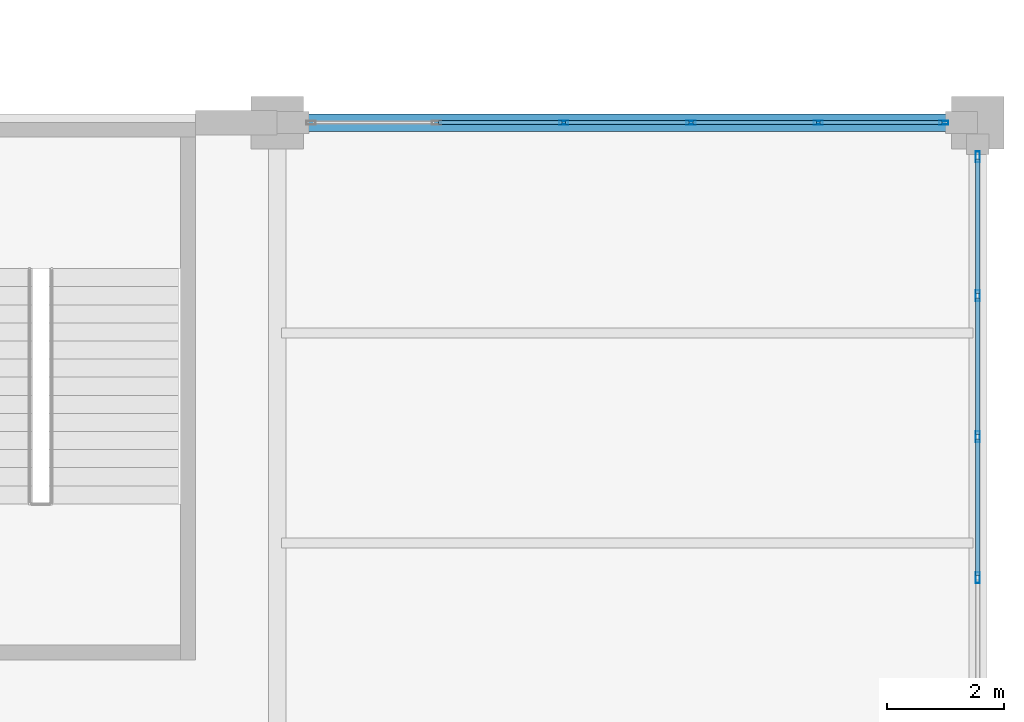
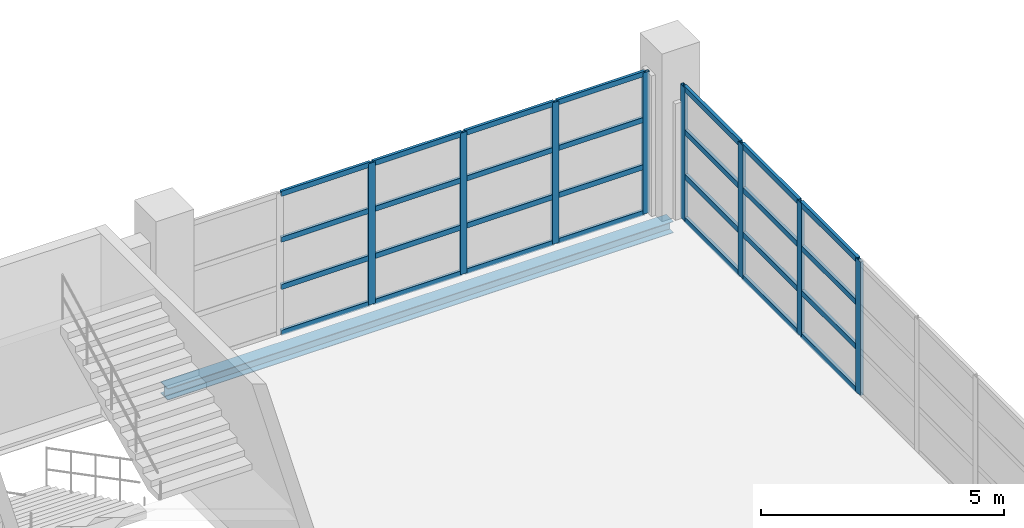
# One storey, part 124 of 158: 36 members, 1 beam, 2 elements without a shape of their own.
"""IFC4 building model written with IfcOpenShell, lengths in metres."""

from ifc_helpers import new_model, si_unit, direction, frame, origin, origin_2d, place, context, subcontext, project, spatial, hollow_rectangle, i_section, extrude, material, layer, layer_set, material_profile, profile_set, type_object, element, aggregate, save


model = new_model("IFC4")

# Units and contexts
model_context = context("Model", 3, precision=1e-05, world=origin(), true_north=direction((0.0, 1.0)))
body_context = subcontext(model_context, "Body", "Model", "MODEL_VIEW")
ifc_project = project(units=[si_unit("LENGTHUNIT", "METRE"), si_unit("AREAUNIT", "SQUARE_METRE"), si_unit("VOLUMEUNIT", "CUBIC_METRE"), si_unit("PLANEANGLEUNIT", "RADIAN"), si_unit("MASSUNIT", "GRAM", prefix="KILO")], contexts=[model_context])

# Site, building, storey
site_placement = place(None, origin())
site = spatial("IfcSite", under=ifc_project, at=site_placement, CompositionType="ELEMENT")
building_placement = place(site_placement, origin())
building = spatial("IfcBuilding", under=site, at=building_placement, Name="Zilviju Railside Exhibition Hall", CompositionType="ELEMENT")
storey_placement = place(building_placement, frame((0.0, 0.0, 4.199951171875)))
storey = spatial("IfcBuildingStorey", under=building, at=storey_placement, Name="L02", CompositionType="ELEMENT", Elevation=4.199951171875)

# Beam
ifc_material_1 = material(Name="Steel S355J2", Category="steel")
ifc_material_profile_1 = material_profile(ifc_material_1, i_section(OverallWidth=0.300048828125, OverallDepth=0.2900390625, WebThickness=0.008544921875, FlangeThickness=0.013916015625, at=origin_2d()), Name="HEA 300")
ifc_profile_set_1 = profile_set([ifc_material_profile_1], Name="Steel S355J2")
beam_type = type_object("IfcBeamType", Name="BM-HEA300", PredefinedType="SPANDREL", material=ifc_profile_set_1)
beam_placement = place(storey_placement, frame((204.0, 138.0, -0.474853515625), z_axis=(1.0, 0.0, 0.0), x_axis=(0.0, 1.0, 0.0)))
element("IfcBeam", 1, at=beam_placement, inside=storey, type_object=beam_type, Name="Primary Girder L02 Y=138.0 (204.0..216.0)", PredefinedType="SPANDREL", context=body_context, shape_type="SweptSolid", body=[
    extrude(i_section(OverallWidth=0.300048828125, OverallDepth=0.2900390625, WebThickness=0.008544921875, FlangeThickness=0.013916015625, at=origin_2d()), origin(), (0.0, 0.0, 1.0), 12.0),
])

# Curtain wall, members
ifc_material_2 = material(Name="Thermally broken aluminium-steel triple-glazed curtain wall", Category="steel")
ifc_layer_1 = layer(ifc_material_2, 0.179931640625)
ifc_layer_set_1 = layer_set([ifc_layer_1], Name="Thermally broken aluminium-steel triple-glazed curtain wall")
curtain_wall_type_1 = type_object("IfcCurtainWallType", Name="CW-BAY-14", PredefinedType="USERDEFINED", material=ifc_layer_set_1)
curtain_wall_1_placement = place(storey_placement, origin())
curtain_wall_1 = element("IfcCurtainWall", 2, at=curtain_wall_1_placement, inside=storey, type_object=curtain_wall_type_1, Name="North Hall Clerestory Curtain Wall L02 (204..216)", ObjectType="GLAZED CURTAIN WALL", PredefinedType="USERDEFINED")
ifc_material_3 = material(Name="Thermally broken anodized aluminium mullion", Category="aluminium")
ifc_material_profile_2 = material_profile(ifc_material_3, hollow_rectangle(XDim=0.06494140625, YDim=0.159912109375, WallThickness=0.0048828125, at=origin_2d()), Name="MULLION 160x65x5")
ifc_profile_set_2 = profile_set([ifc_material_profile_2], Name="Thermally broken anodized aluminium mullion")
member_type_1 = type_object("IfcMemberType", Name="CWM-65x160", PredefinedType="MULLION", material=ifc_profile_set_2)
member_1_placement = place(storey_placement, frame((208.909912109375, 138.0, 0.0), z_axis=(0.0, 0.0, 1.0), x_axis=(0.0, 1.0, 0.0)))
member_1 = element("IfcMember", 3, at=member_1_placement, type_object=member_type_1, Name="CW-14 mullion 3", PredefinedType="MULLION", context=body_context, shape_type="SweptSolid", body=[
    extrude(hollow_rectangle(XDim=0.06494140625, YDim=0.159912109375, WallThickness=0.0048828125, at=origin_2d()), origin(), (0.0, 0.0, 1.0), 3.550048828125),
])
member_2_placement = place(storey_placement, frame((211.090087890625, 138.0, 0.0), z_axis=(0.0, 0.0, 1.0), x_axis=(0.0, 1.0, 0.0)))
member_2 = element("IfcMember", 4, at=member_2_placement, type_object=member_type_1, Name="CW-14 mullion 4", PredefinedType="MULLION", context=body_context, shape_type="SweptSolid", body=[
    extrude(hollow_rectangle(XDim=0.06494140625, YDim=0.159912109375, WallThickness=0.0048828125, at=origin_2d()), origin(), (0.0, 0.0, 1.0), 3.550048828125),
])
member_3_placement = place(storey_placement, frame((213.27001953125, 138.0, 0.0), z_axis=(0.0, 0.0, 1.0), x_axis=(0.0, 1.0, 0.0)))
member_3 = element("IfcMember", 5, at=member_3_placement, type_object=member_type_1, Name="CW-14 mullion 5", PredefinedType="MULLION", context=body_context, shape_type="SweptSolid", body=[
    extrude(hollow_rectangle(XDim=0.06494140625, YDim=0.159912109375, WallThickness=0.0048828125, at=origin_2d()), origin(), (0.0, 0.0, 1.0), 3.550048828125),
])
member_4_placement = place(storey_placement, frame((215.41748046875, 138.0, 0.0), z_axis=(0.0, 0.0, 1.0), x_axis=(0.0, 1.0, 0.0)))
member_4 = element("IfcMember", 6, at=member_4_placement, type_object=member_type_1, Name="CW-14 mullion 6", PredefinedType="MULLION", context=body_context, shape_type="SweptSolid", body=[
    extrude(hollow_rectangle(XDim=0.06494140625, YDim=0.159912109375, WallThickness=0.0048828125, at=origin_2d()), origin(), (0.0, 0.0, 1.0), 3.550048828125),
])

ifc_layer_2 = layer(ifc_material_2, 0.179931640625)
ifc_layer_set_2 = layer_set([ifc_layer_2], Name="Thermally broken aluminium-steel triple-glazed curtain wall")
curtain_wall_type_2 = type_object("IfcCurtainWallType", Name="CW-BAY-17", PredefinedType="USERDEFINED", material=ifc_layer_set_2)
curtain_wall_2_placement = place(storey_placement, origin())
curtain_wall_2 = element("IfcCurtainWall", 7, at=curtain_wall_2_placement, inside=storey, type_object=curtain_wall_type_2, Name="North Hall East Glazed Gable L02 (120..138)", ObjectType="GLAZED CURTAIN WALL", PredefinedType="USERDEFINED")
ifc_material_profile_3 = material_profile(ifc_material_3, hollow_rectangle(XDim=0.074951171875, YDim=0.18994140625, WallThickness=0.0048828125, at=origin_2d()), Name="MULLION 190x75x5")
ifc_profile_set_3 = profile_set([ifc_material_profile_3], Name="Thermally broken anodized aluminium mullion")
member_type_2 = type_object("IfcMemberType", Name="CWM-75x190", PredefinedType="MULLION", material=ifc_profile_set_3)
member_5_placement = place(storey_placement, frame((216.0, 137.41259765625, 0.0), z_axis=(0.0, 0.0, 1.0), x_axis=(1.0, 0.0, 0.0)))
member_5 = element("IfcMember", 8, at=member_5_placement, type_object=member_type_2, Name="CW-17 mullion 1", PredefinedType="MULLION", context=body_context, shape_type="SweptSolid", body=[
    extrude(hollow_rectangle(XDim=0.074951171875, YDim=0.18994140625, WallThickness=0.0048828125, at=origin_2d()), origin(), (0.0, 0.0, 1.0), 3.35009765625),
])
member_6_placement = place(storey_placement, frame((216.0, 135.03564453125, 0.0), z_axis=(0.0, 0.0, 1.0), x_axis=(1.0, 0.0, 0.0)))
member_6 = element("IfcMember", 9, at=member_6_placement, type_object=member_type_2, Name="CW-17 mullion 2", PredefinedType="MULLION", context=body_context, shape_type="SweptSolid", body=[
    extrude(hollow_rectangle(XDim=0.074951171875, YDim=0.18994140625, WallThickness=0.0048828125, at=origin_2d()), origin(), (0.0, 0.0, 1.0), 3.35009765625),
])
member_7_placement = place(storey_placement, frame((216.0, 132.621337890625, 0.0), z_axis=(0.0, 0.0, 1.0), x_axis=(1.0, 0.0, 0.0)))
member_7 = element("IfcMember", 10, at=member_7_placement, type_object=member_type_2, Name="CW-17 mullion 3", PredefinedType="MULLION", context=body_context, shape_type="SweptSolid", body=[
    extrude(hollow_rectangle(XDim=0.074951171875, YDim=0.18994140625, WallThickness=0.0048828125, at=origin_2d()), origin(), (0.0, 0.0, 1.0), 3.35009765625),
])
member_8_placement = place(storey_placement, frame((216.0, 130.20703125, 0.0), z_axis=(0.0, 0.0, 1.0), x_axis=(1.0, 0.0, 0.0)))
member_8 = element("IfcMember", 11, at=member_8_placement, type_object=member_type_2, Name="CW-17 mullion 4", PredefinedType="MULLION", context=body_context, shape_type="SweptSolid", body=[
    extrude(hollow_rectangle(XDim=0.074951171875, YDim=0.18994140625, WallThickness=0.0048828125, at=origin_2d()), origin(), (0.0, 0.0, 1.0), 3.35009765625),
])

# Member
ifc_material_4 = material(Name="Thermally broken anodized aluminium transom", Category="aluminium")
ifc_material_profile_4 = material_profile(ifc_material_4, hollow_rectangle(XDim=0.06494140625, YDim=0.1298828125, WallThickness=0.0048828125, at=origin_2d()), Name="TRANSOM 130x65x5")
ifc_profile_set_4 = profile_set([ifc_material_profile_4], Name="Thermally broken anodized aluminium transom")
member_type_3 = type_object("IfcMemberType", Name="CWT-65x130", PredefinedType="USERDEFINED", material=ifc_profile_set_4)
member_9_placement = place(storey_placement, frame((206.762451171875, 138.0, 0.032470703125), z_axis=(1.0, 0.0, 0.0), x_axis=(0.0, 1.0, 0.0)))
member_9 = element("IfcMember", 12, at=member_9_placement, type_object=member_type_3, Name="CW-14 transom 2.1", ObjectType="TRANSOM", PredefinedType="USERDEFINED", context=body_context, shape_type="SweptSolid", body=[
    extrude(hollow_rectangle(XDim=0.06494140625, YDim=0.1298828125, WallThickness=0.0048828125, at=origin_2d()), origin(), (0.0, 0.0, 1.0), 2.114990234375),
])

member_10_placement = place(storey_placement, frame((206.762451171875, 138.0, 1.18310546875), z_axis=(1.0, 0.0, 0.0), x_axis=(0.0, 1.0, 0.0)))
member_10 = element("IfcMember", 13, at=member_10_placement, type_object=member_type_3, Name="CW-14 transom 2.2", ObjectType="TRANSOM", PredefinedType="USERDEFINED", context=body_context, shape_type="SweptSolid", body=[
    extrude(hollow_rectangle(XDim=0.06494140625, YDim=0.1298828125, WallThickness=0.0048828125, at=origin_2d()), origin(), (0.0, 0.0, 1.0), 2.114990234375),
])

member_11_placement = place(storey_placement, frame((206.762451171875, 138.0, 2.366943359375), z_axis=(1.0, 0.0, 0.0), x_axis=(0.0, 1.0, 0.0)))
member_11 = element("IfcMember", 14, at=member_11_placement, type_object=member_type_3, Name="CW-14 transom 2.3", ObjectType="TRANSOM", PredefinedType="USERDEFINED", context=body_context, shape_type="SweptSolid", body=[
    extrude(hollow_rectangle(XDim=0.06494140625, YDim=0.1298828125, WallThickness=0.0048828125, at=origin_2d()), origin(), (0.0, 0.0, 1.0), 2.114990234375),
])

member_12_placement = place(storey_placement, frame((206.762451171875, 138.0, 3.517578125), z_axis=(1.0, 0.0, 0.0), x_axis=(0.0, 1.0, 0.0)))
member_12 = element("IfcMember", 15, at=member_12_placement, type_object=member_type_3, Name="CW-14 transom 2.4", ObjectType="TRANSOM", PredefinedType="USERDEFINED", context=body_context, shape_type="SweptSolid", body=[
    extrude(hollow_rectangle(XDim=0.06494140625, YDim=0.1298828125, WallThickness=0.0048828125, at=origin_2d()), origin(), (0.0, 0.0, 1.0), 2.114990234375),
])

member_13_placement = place(storey_placement, frame((208.9423828125, 138.0, 0.032470703125), z_axis=(1.0, 0.0, 0.0), x_axis=(0.0, 1.0, 0.0)))
member_13 = element("IfcMember", 16, at=member_13_placement, type_object=member_type_3, Name="CW-14 transom 3.1", ObjectType="TRANSOM", PredefinedType="USERDEFINED", context=body_context, shape_type="SweptSolid", body=[
    extrude(hollow_rectangle(XDim=0.06494140625, YDim=0.1298828125, WallThickness=0.0048828125, at=origin_2d()), origin(), (0.0, 0.0, 1.0), 2.115234375),
])

member_14_placement = place(storey_placement, frame((208.9423828125, 138.0, 1.18310546875), z_axis=(1.0, 0.0, 0.0), x_axis=(0.0, 1.0, 0.0)))
member_14 = element("IfcMember", 17, at=member_14_placement, type_object=member_type_3, Name="CW-14 transom 3.2", ObjectType="TRANSOM", PredefinedType="USERDEFINED", context=body_context, shape_type="SweptSolid", body=[
    extrude(hollow_rectangle(XDim=0.06494140625, YDim=0.1298828125, WallThickness=0.0048828125, at=origin_2d()), origin(), (0.0, 0.0, 1.0), 2.115234375),
])

member_15_placement = place(storey_placement, frame((208.9423828125, 138.0, 2.366943359375), z_axis=(1.0, 0.0, 0.0), x_axis=(0.0, 1.0, 0.0)))
member_15 = element("IfcMember", 18, at=member_15_placement, type_object=member_type_3, Name="CW-14 transom 3.3", ObjectType="TRANSOM", PredefinedType="USERDEFINED", context=body_context, shape_type="SweptSolid", body=[
    extrude(hollow_rectangle(XDim=0.06494140625, YDim=0.1298828125, WallThickness=0.0048828125, at=origin_2d()), origin(), (0.0, 0.0, 1.0), 2.115234375),
])

member_16_placement = place(storey_placement, frame((208.9423828125, 138.0, 3.517578125), z_axis=(1.0, 0.0, 0.0), x_axis=(0.0, 1.0, 0.0)))
member_16 = element("IfcMember", 19, at=member_16_placement, type_object=member_type_3, Name="CW-14 transom 3.4", ObjectType="TRANSOM", PredefinedType="USERDEFINED", context=body_context, shape_type="SweptSolid", body=[
    extrude(hollow_rectangle(XDim=0.06494140625, YDim=0.1298828125, WallThickness=0.0048828125, at=origin_2d()), origin(), (0.0, 0.0, 1.0), 2.115234375),
])

member_17_placement = place(storey_placement, frame((211.12255859375, 138.0, 0.032470703125), z_axis=(1.0, 0.0, 0.0), x_axis=(0.0, 1.0, 0.0)))
member_17 = element("IfcMember", 20, at=member_17_placement, type_object=member_type_3, Name="CW-14 transom 4.1", ObjectType="TRANSOM", PredefinedType="USERDEFINED", context=body_context, shape_type="SweptSolid", body=[
    extrude(hollow_rectangle(XDim=0.06494140625, YDim=0.1298828125, WallThickness=0.0048828125, at=origin_2d()), origin(), (0.0, 0.0, 1.0), 2.114990234375),
])

member_18_placement = place(storey_placement, frame((211.12255859375, 138.0, 1.18310546875), z_axis=(1.0, 0.0, 0.0), x_axis=(0.0, 1.0, 0.0)))
member_18 = element("IfcMember", 21, at=member_18_placement, type_object=member_type_3, Name="CW-14 transom 4.2", ObjectType="TRANSOM", PredefinedType="USERDEFINED", context=body_context, shape_type="SweptSolid", body=[
    extrude(hollow_rectangle(XDim=0.06494140625, YDim=0.1298828125, WallThickness=0.0048828125, at=origin_2d()), origin(), (0.0, 0.0, 1.0), 2.114990234375),
])

member_19_placement = place(storey_placement, frame((211.12255859375, 138.0, 2.366943359375), z_axis=(1.0, 0.0, 0.0), x_axis=(0.0, 1.0, 0.0)))
member_19 = element("IfcMember", 22, at=member_19_placement, type_object=member_type_3, Name="CW-14 transom 4.3", ObjectType="TRANSOM", PredefinedType="USERDEFINED", context=body_context, shape_type="SweptSolid", body=[
    extrude(hollow_rectangle(XDim=0.06494140625, YDim=0.1298828125, WallThickness=0.0048828125, at=origin_2d()), origin(), (0.0, 0.0, 1.0), 2.114990234375),
])

member_20_placement = place(storey_placement, frame((211.12255859375, 138.0, 3.517578125), z_axis=(1.0, 0.0, 0.0), x_axis=(0.0, 1.0, 0.0)))
member_20 = element("IfcMember", 23, at=member_20_placement, type_object=member_type_3, Name="CW-14 transom 4.4", ObjectType="TRANSOM", PredefinedType="USERDEFINED", context=body_context, shape_type="SweptSolid", body=[
    extrude(hollow_rectangle(XDim=0.06494140625, YDim=0.1298828125, WallThickness=0.0048828125, at=origin_2d()), origin(), (0.0, 0.0, 1.0), 2.114990234375),
])

member_21_placement = place(storey_placement, frame((213.302490234375, 138.0, 0.032470703125), z_axis=(1.0, 0.0, 0.0), x_axis=(0.0, 1.0, 0.0)))
member_21 = element("IfcMember", 24, at=member_21_placement, type_object=member_type_3, Name="CW-14 transom 5.1", ObjectType="TRANSOM", PredefinedType="USERDEFINED", context=body_context, shape_type="SweptSolid", body=[
    extrude(hollow_rectangle(XDim=0.06494140625, YDim=0.1298828125, WallThickness=0.0048828125, at=origin_2d()), origin(), (0.0, 0.0, 1.0), 2.08251953125),
])

member_22_placement = place(storey_placement, frame((213.302490234375, 138.0, 1.18310546875), z_axis=(1.0, 0.0, 0.0), x_axis=(0.0, 1.0, 0.0)))
member_22 = element("IfcMember", 25, at=member_22_placement, type_object=member_type_3, Name="CW-14 transom 5.2", ObjectType="TRANSOM", PredefinedType="USERDEFINED", context=body_context, shape_type="SweptSolid", body=[
    extrude(hollow_rectangle(XDim=0.06494140625, YDim=0.1298828125, WallThickness=0.0048828125, at=origin_2d()), origin(), (0.0, 0.0, 1.0), 2.08251953125),
])

member_23_placement = place(storey_placement, frame((213.302490234375, 138.0, 2.366943359375), z_axis=(1.0, 0.0, 0.0), x_axis=(0.0, 1.0, 0.0)))
member_23 = element("IfcMember", 26, at=member_23_placement, type_object=member_type_3, Name="CW-14 transom 5.3", ObjectType="TRANSOM", PredefinedType="USERDEFINED", context=body_context, shape_type="SweptSolid", body=[
    extrude(hollow_rectangle(XDim=0.06494140625, YDim=0.1298828125, WallThickness=0.0048828125, at=origin_2d()), origin(), (0.0, 0.0, 1.0), 2.08251953125),
])

member_24_placement = place(storey_placement, frame((213.302490234375, 138.0, 3.517578125), z_axis=(1.0, 0.0, 0.0), x_axis=(0.0, 1.0, 0.0)))
member_24 = element("IfcMember", 27, at=member_24_placement, type_object=member_type_3, Name="CW-14 transom 5.4", ObjectType="TRANSOM", PredefinedType="USERDEFINED", context=body_context, shape_type="SweptSolid", body=[
    extrude(hollow_rectangle(XDim=0.06494140625, YDim=0.1298828125, WallThickness=0.0048828125, at=origin_2d()), origin(), (0.0, 0.0, 1.0), 2.08251953125),
])

aggregate(curtain_wall_1, [member_1, member_2, member_3, member_4, member_9, member_10, member_11, member_12, member_13, member_14, member_15, member_16, member_17, member_18, member_19, member_20, member_21, member_22, member_23, member_24])

ifc_material_profile_5 = material_profile(ifc_material_4, hollow_rectangle(XDim=0.074951171875, YDim=0.139892578125, WallThickness=0.0048828125, at=origin_2d()), Name="TRANSOM 140x75x5")
ifc_profile_set_5 = profile_set([ifc_material_profile_5], Name="Thermally broken anodized aluminium transom")
member_type_4 = type_object("IfcMemberType", Name="CWT-75x140", PredefinedType="USERDEFINED", material=ifc_profile_set_5)
member_25_placement = place(storey_placement, frame((216.0, 137.375, 0.03759765625), z_axis=(0.0, -1.0, 0.0), x_axis=(1.0, 0.0, 0.0)))
member_25 = element("IfcMember", 28, at=member_25_placement, type_object=member_type_4, Name="CW-17 transom 1.1", ObjectType="TRANSOM", PredefinedType="USERDEFINED", context=body_context, shape_type="SweptSolid", body=[
    extrude(hollow_rectangle(XDim=0.074951171875, YDim=0.139892578125, WallThickness=0.0048828125, at=origin_2d()), origin(), (0.0, 0.0, 1.0), 2.3017578125),
])

member_26_placement = place(storey_placement, frame((216.0, 137.375, 1.116943359375), z_axis=(0.0, -1.0, 0.0), x_axis=(1.0, 0.0, 0.0)))
member_26 = element("IfcMember", 29, at=member_26_placement, type_object=member_type_4, Name="CW-17 transom 1.2", ObjectType="TRANSOM", PredefinedType="USERDEFINED", context=body_context, shape_type="SweptSolid", body=[
    extrude(hollow_rectangle(XDim=0.074951171875, YDim=0.139892578125, WallThickness=0.0048828125, at=origin_2d()), origin(), (0.0, 0.0, 1.0), 2.3017578125),
])

member_27_placement = place(storey_placement, frame((216.0, 137.375, 2.233154296875), z_axis=(0.0, -1.0, 0.0), x_axis=(1.0, 0.0, 0.0)))
member_27 = element("IfcMember", 30, at=member_27_placement, type_object=member_type_4, Name="CW-17 transom 1.3", ObjectType="TRANSOM", PredefinedType="USERDEFINED", context=body_context, shape_type="SweptSolid", body=[
    extrude(hollow_rectangle(XDim=0.074951171875, YDim=0.139892578125, WallThickness=0.0048828125, at=origin_2d()), origin(), (0.0, 0.0, 1.0), 2.3017578125),
])

member_28_placement = place(storey_placement, frame((216.0, 137.375, 3.3125), z_axis=(0.0, -1.0, 0.0), x_axis=(1.0, 0.0, 0.0)))
member_28 = element("IfcMember", 31, at=member_28_placement, type_object=member_type_4, Name="CW-17 transom 1.4", ObjectType="TRANSOM", PredefinedType="USERDEFINED", context=body_context, shape_type="SweptSolid", body=[
    extrude(hollow_rectangle(XDim=0.074951171875, YDim=0.139892578125, WallThickness=0.0048828125, at=origin_2d()), origin(), (0.0, 0.0, 1.0), 2.3017578125),
])

member_29_placement = place(storey_placement, frame((216.0, 134.998291015625, 0.03759765625), z_axis=(0.0, -1.0, 0.0), x_axis=(1.0, 0.0, 0.0)))
member_29 = element("IfcMember", 32, at=member_29_placement, type_object=member_type_4, Name="CW-17 transom 2.1", ObjectType="TRANSOM", PredefinedType="USERDEFINED", context=body_context, shape_type="SweptSolid", body=[
    extrude(hollow_rectangle(XDim=0.074951171875, YDim=0.139892578125, WallThickness=0.0048828125, at=origin_2d()), origin(), (0.0, 0.0, 1.0), 2.33935546875),
])

member_30_placement = place(storey_placement, frame((216.0, 134.998291015625, 1.116943359375), z_axis=(0.0, -1.0, 0.0), x_axis=(1.0, 0.0, 0.0)))
member_30 = element("IfcMember", 33, at=member_30_placement, type_object=member_type_4, Name="CW-17 transom 2.2", ObjectType="TRANSOM", PredefinedType="USERDEFINED", context=body_context, shape_type="SweptSolid", body=[
    extrude(hollow_rectangle(XDim=0.074951171875, YDim=0.139892578125, WallThickness=0.0048828125, at=origin_2d()), origin(), (0.0, 0.0, 1.0), 2.33935546875),
])

member_31_placement = place(storey_placement, frame((216.0, 134.998291015625, 2.233154296875), z_axis=(0.0, -1.0, 0.0), x_axis=(1.0, 0.0, 0.0)))
member_31 = element("IfcMember", 34, at=member_31_placement, type_object=member_type_4, Name="CW-17 transom 2.3", ObjectType="TRANSOM", PredefinedType="USERDEFINED", context=body_context, shape_type="SweptSolid", body=[
    extrude(hollow_rectangle(XDim=0.074951171875, YDim=0.139892578125, WallThickness=0.0048828125, at=origin_2d()), origin(), (0.0, 0.0, 1.0), 2.33935546875),
])

member_32_placement = place(storey_placement, frame((216.0, 134.998291015625, 3.3125), z_axis=(0.0, -1.0, 0.0), x_axis=(1.0, 0.0, 0.0)))
member_32 = element("IfcMember", 35, at=member_32_placement, type_object=member_type_4, Name="CW-17 transom 2.4", ObjectType="TRANSOM", PredefinedType="USERDEFINED", context=body_context, shape_type="SweptSolid", body=[
    extrude(hollow_rectangle(XDim=0.074951171875, YDim=0.139892578125, WallThickness=0.0048828125, at=origin_2d()), origin(), (0.0, 0.0, 1.0), 2.33935546875),
])

member_33_placement = place(storey_placement, frame((216.0, 132.583984375, 0.03759765625), z_axis=(0.0, -1.0, 0.0), x_axis=(1.0, 0.0, 0.0)))
member_33 = element("IfcMember", 36, at=member_33_placement, type_object=member_type_4, Name="CW-17 transom 3.1", ObjectType="TRANSOM", PredefinedType="USERDEFINED", context=body_context, shape_type="SweptSolid", body=[
    extrude(hollow_rectangle(XDim=0.074951171875, YDim=0.139892578125, WallThickness=0.0048828125, at=origin_2d()), origin(), (0.0, 0.0, 1.0), 2.33935546875),
])

member_34_placement = place(storey_placement, frame((216.0, 132.583984375, 1.116943359375), z_axis=(0.0, -1.0, 0.0), x_axis=(1.0, 0.0, 0.0)))
member_34 = element("IfcMember", 37, at=member_34_placement, type_object=member_type_4, Name="CW-17 transom 3.2", ObjectType="TRANSOM", PredefinedType="USERDEFINED", context=body_context, shape_type="SweptSolid", body=[
    extrude(hollow_rectangle(XDim=0.074951171875, YDim=0.139892578125, WallThickness=0.0048828125, at=origin_2d()), origin(), (0.0, 0.0, 1.0), 2.33935546875),
])

member_35_placement = place(storey_placement, frame((216.0, 132.583984375, 2.233154296875), z_axis=(0.0, -1.0, 0.0), x_axis=(1.0, 0.0, 0.0)))
member_35 = element("IfcMember", 38, at=member_35_placement, type_object=member_type_4, Name="CW-17 transom 3.3", ObjectType="TRANSOM", PredefinedType="USERDEFINED", context=body_context, shape_type="SweptSolid", body=[
    extrude(hollow_rectangle(XDim=0.074951171875, YDim=0.139892578125, WallThickness=0.0048828125, at=origin_2d()), origin(), (0.0, 0.0, 1.0), 2.33935546875),
])

member_36_placement = place(storey_placement, frame((216.0, 132.583984375, 3.3125), z_axis=(0.0, -1.0, 0.0), x_axis=(1.0, 0.0, 0.0)))
member_36 = element("IfcMember", 39, at=member_36_placement, type_object=member_type_4, Name="CW-17 transom 3.4", ObjectType="TRANSOM", PredefinedType="USERDEFINED", context=body_context, shape_type="SweptSolid", body=[
    extrude(hollow_rectangle(XDim=0.074951171875, YDim=0.139892578125, WallThickness=0.0048828125, at=origin_2d()), origin(), (0.0, 0.0, 1.0), 2.33935546875),
])

aggregate(curtain_wall_2, [member_5, member_6, member_7, member_8, member_25, member_26, member_27, member_28, member_29, member_30, member_31, member_32, member_33, member_34, member_35, member_36])

save(model, "model.ifc")
